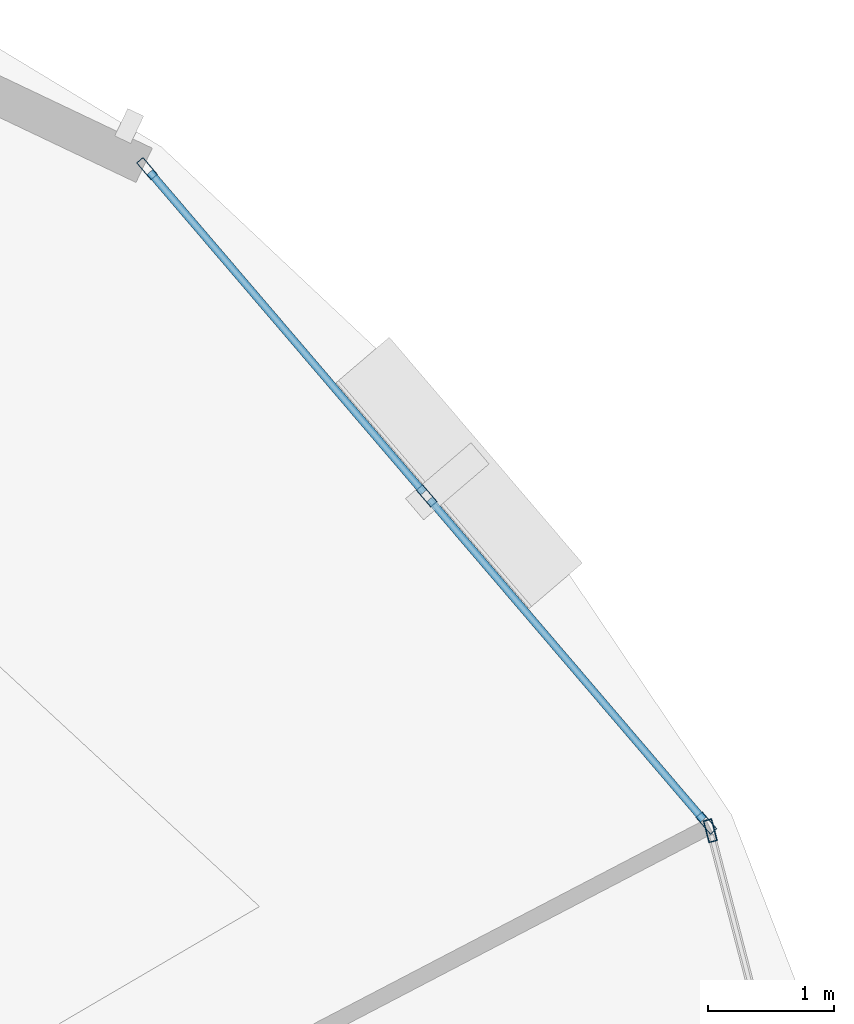
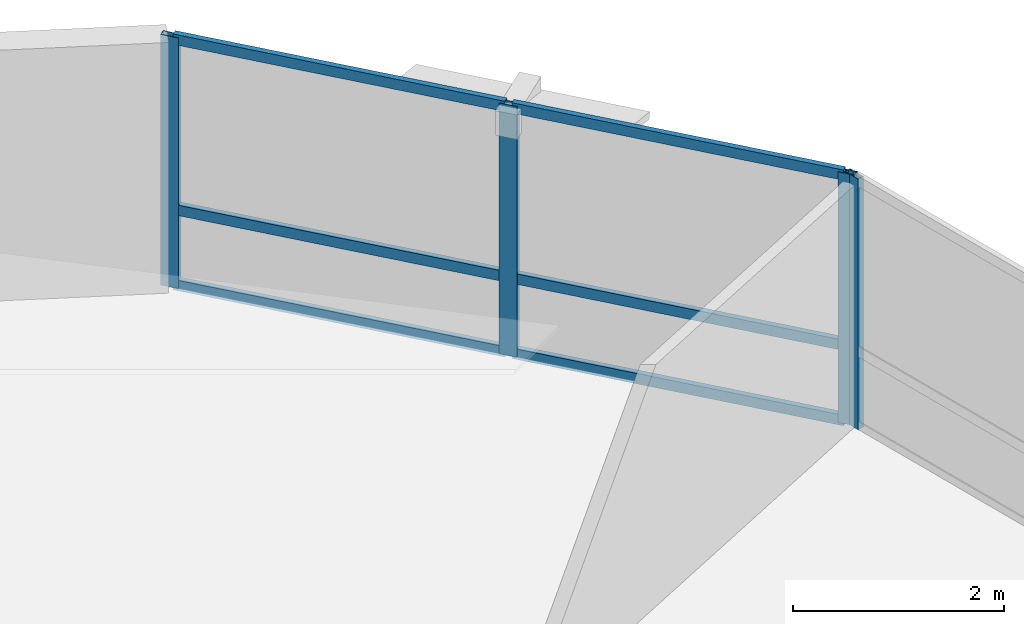
# One storey, part 8 of 14: 10 members, 2 elements without a shape of their own.
"""IFC4 building model written with IfcOpenShell, lengths in metres."""

from ifc_helpers import new_model, si_unit, direction, frame, origin, origin_2d, place, context, subcontext, project, spatial, hollow_rectangle, extrude, material, layer, layer_set, material_profile, profile_set, type_object, element, aggregate, save


model = new_model("IFC4")

# Units and contexts
model_context = context("Model", 3, precision=1e-05, world=origin(), true_north=direction((0.0, 1.0)))
body_context = subcontext(model_context, "Body", "Model", "MODEL_VIEW")
ifc_project = project(units=[si_unit("LENGTHUNIT", "METRE"), si_unit("AREAUNIT", "SQUARE_METRE"), si_unit("VOLUMEUNIT", "CUBIC_METRE"), si_unit("PLANEANGLEUNIT", "RADIAN"), si_unit("MASSUNIT", "GRAM", prefix="KILO"), si_unit("THERMODYNAMICTEMPERATUREUNIT", "KELVIN"), si_unit("POWERUNIT", "WATT")], contexts=[model_context])

# Site, building, storey
site_placement = place(None, origin())
site = spatial("IfcSite", under=ifc_project, at=site_placement, CompositionType="ELEMENT")
building_placement = place(site_placement, origin())
building = spatial("IfcBuilding", under=site, at=building_placement, Name="Ocrelia Relay Tower", CompositionType="ELEMENT")
storey_placement = place(building_placement, frame((0.0, 0.0, 149.800048828125)))
storey = spatial("IfcBuildingStorey", under=building, at=storey_placement, Name="L35", CompositionType="ELEMENT", Elevation=149.800048828125)

# Curtain wall, members
ifc_material_1 = material(Name="Aluminium and solar-control low-E glass", Category="aluminium")
ifc_layer = layer(ifc_material_1, 0.179931640625, Name="Aluminium and solar-control low-E glass")
ifc_layer_set = layer_set([ifc_layer], Name="Aluminium and solar-control low-E glass")
curtain_wall_type = type_object("IfcCurtainWallType", Name="CW-SYS-Z2-SWIT", PredefinedType="NOTDEFINED", material=ifc_layer_set)
curtain_wall_1_placement = place(storey_placement, origin())
curtain_wall_1 = element("IfcCurtainWall", 1, at=curtain_wall_1_placement, inside=storey, type_object=curtain_wall_type, Name="L35 Elliptical Tower Curtain Wall Bay 01", PredefinedType="NOTDEFINED")
ifc_material_2 = material(Name="Anodised bronze aluminium", Category="aluminium")
ifc_material_profile_1 = material_profile(ifc_material_2, hollow_rectangle(XDim=0.070068359375, YDim=0.179931640625, WallThickness=0.006103515625, at=origin_2d()), Name="CW-MUL-180x70")
ifc_profile_set_1 = profile_set([ifc_material_profile_1], Name="Anodised bronze aluminium")
member_type_1 = type_object("IfcMemberType", Name="CW-SYS-Z2-SWIT-MUL", PredefinedType="MULLION", material=ifc_profile_set_1)
member_1_placement = place(storey_placement, frame((56.674560546875, 37.8671875, 0.0), z_axis=(0.0, 0.0, 1.0), x_axis=(-0.760185496436, -0.649706095868, 0.0)))
member_1 = element("IfcMember", 2, at=member_1_placement, type_object=member_type_1, Name="CW-Z2 mullion 1", PredefinedType="MULLION", context=body_context, shape_type="SweptSolid", body=[
    extrude(hollow_rectangle(XDim=0.070068359375, YDim=0.179931640625, WallThickness=0.006103515625, at=origin_2d()), origin(), (0.0, 0.0, 1.0), 2.89990234375),
])
member_2_placement = place(storey_placement, frame((54.46240234375, 40.455322265625, 0.0), z_axis=(0.0, 0.0, 1.0), x_axis=(-0.760185496436, -0.649706095868, 0.0)))
member_2 = element("IfcMember", 3, at=member_2_placement, type_object=member_type_1, Name="CW-Z2 mullion 2", PredefinedType="MULLION", context=body_context, shape_type="SweptSolid", body=[
    extrude(hollow_rectangle(XDim=0.070068359375, YDim=0.179931640625, WallThickness=0.006103515625, at=origin_2d()), origin(), (0.0, 0.0, 1.0), 2.89990234375),
])
member_3_placement = place(storey_placement, frame((52.25048828125, 43.04345703125, 0.0), z_axis=(0.0, 0.0, 1.0), x_axis=(-0.760185496436, -0.649706095868, 0.0)))
member_3 = element("IfcMember", 4, at=member_3_placement, type_object=member_type_1, Name="CW-Z2 mullion 3", PredefinedType="MULLION", context=body_context, shape_type="SweptSolid", body=[
    extrude(hollow_rectangle(XDim=0.070068359375, YDim=0.179931640625, WallThickness=0.006103515625, at=origin_2d()), origin(), (0.0, 0.0, 1.0), 2.89990234375),
])

# Curtain wall, member
curtain_wall_2_placement = place(storey_placement, origin())
curtain_wall_2 = element("IfcCurtainWall", 5, at=curtain_wall_2_placement, inside=storey, type_object=curtain_wall_type, Name="L35 Elliptical Tower Curtain Wall Bay 18", PredefinedType="NOTDEFINED")
member_4_placement = place(storey_placement, frame((56.7060546875, 37.806640625, 0.0), z_axis=(0.0, 0.0, 1.0), x_axis=(-0.967796870511, -0.251732432216, 0.0)))
member_4 = element("IfcMember", 6, at=member_4_placement, type_object=member_type_1, Name="CW-Z2 mullion 3", PredefinedType="MULLION", context=body_context, shape_type="SweptSolid", body=[
    extrude(hollow_rectangle(XDim=0.070068359375, YDim=0.179931640625, WallThickness=0.006103515625, at=origin_2d()), origin(), (0.0, 0.0, 1.0), 2.89990234375),
])
aggregate(curtain_wall_2, [member_4])

# Member
ifc_material_profile_2 = material_profile(ifc_material_2, hollow_rectangle(XDim=0.06005859375, YDim=0.1201171875, WallThickness=0.0048828125, at=origin_2d()), Name="CW-TRN-120x60")
ifc_profile_set_2 = profile_set([ifc_material_profile_2], Name="Anodised bronze aluminium")
member_type_2 = type_object("IfcMemberType", Name="CW-SYS-Z2-SWIT-TRN", PredefinedType="USERDEFINED", material=ifc_profile_set_2)
member_5_placement = place(storey_placement, frame((56.651611328125, 37.893798828125, 0.030029296875), z_axis=(-0.649663098981, 0.760222242389, 0.0), x_axis=(-0.760222242389, -0.649663098981, 0.0)))
member_5 = element("IfcMember", 7, at=member_5_placement, type_object=member_type_2, Name="CW-Z2 transom 1.1", ObjectType="TRANSOM", PredefinedType="USERDEFINED", context=body_context, shape_type="SweptSolid", body=[
    extrude(hollow_rectangle(XDim=0.06005859375, YDim=0.1201171875, WallThickness=0.0048828125, at=origin_2d()), origin(), (0.0, 0.0, 1.0), 3.33447265625),
])

member_6_placement = place(storey_placement, frame((56.651611328125, 37.893798828125, 0.89990234375), z_axis=(-0.649663098981, 0.760222242389, 0.0), x_axis=(-0.760222242389, -0.649663098981, 0.0)))
member_6 = element("IfcMember", 8, at=member_6_placement, type_object=member_type_2, Name="CW-Z2 transom 1.2", ObjectType="TRANSOM", PredefinedType="USERDEFINED", context=body_context, shape_type="SweptSolid", body=[
    extrude(hollow_rectangle(XDim=0.06005859375, YDim=0.1201171875, WallThickness=0.0048828125, at=origin_2d()), origin(), (0.0, 0.0, 1.0), 3.33447265625),
])

member_7_placement = place(storey_placement, frame((56.651611328125, 37.893798828125, 2.869873046875), z_axis=(-0.649663098981, 0.760222242389, 0.0), x_axis=(-0.760222242389, -0.649663098981, 0.0)))
member_7 = element("IfcMember", 9, at=member_7_placement, type_object=member_type_2, Name="CW-Z2 transom 1.3", ObjectType="TRANSOM", PredefinedType="USERDEFINED", context=body_context, shape_type="SweptSolid", body=[
    extrude(hollow_rectangle(XDim=0.06005859375, YDim=0.1201171875, WallThickness=0.0048828125, at=origin_2d()), origin(), (0.0, 0.0, 1.0), 3.33447265625),
])

member_8_placement = place(storey_placement, frame((54.439697265625, 40.48193359375, 0.030029296875), z_axis=(-0.649705411402, 0.760186081427, 0.0), x_axis=(-0.760186081427, -0.649705411402, 0.0)))
member_8 = element("IfcMember", 10, at=member_8_placement, type_object=member_type_2, Name="CW-Z2 transom 2.1", ObjectType="TRANSOM", PredefinedType="USERDEFINED", context=body_context, shape_type="SweptSolid", body=[
    extrude(hollow_rectangle(XDim=0.06005859375, YDim=0.1201171875, WallThickness=0.0048828125, at=origin_2d()), origin(), (0.0, 0.0, 1.0), 3.33447265625),
])

member_9_placement = place(storey_placement, frame((54.439697265625, 40.48193359375, 0.89990234375), z_axis=(-0.649705411402, 0.760186081427, 0.0), x_axis=(-0.760186081427, -0.649705411402, 0.0)))
member_9 = element("IfcMember", 11, at=member_9_placement, type_object=member_type_2, Name="CW-Z2 transom 2.2", ObjectType="TRANSOM", PredefinedType="USERDEFINED", context=body_context, shape_type="SweptSolid", body=[
    extrude(hollow_rectangle(XDim=0.06005859375, YDim=0.1201171875, WallThickness=0.0048828125, at=origin_2d()), origin(), (0.0, 0.0, 1.0), 3.33447265625),
])

member_10_placement = place(storey_placement, frame((54.439697265625, 40.48193359375, 2.869873046875), z_axis=(-0.649705411402, 0.760186081427, 0.0), x_axis=(-0.760186081427, -0.649705411402, 0.0)))
member_10 = element("IfcMember", 12, at=member_10_placement, type_object=member_type_2, Name="CW-Z2 transom 2.3", ObjectType="TRANSOM", PredefinedType="USERDEFINED", context=body_context, shape_type="SweptSolid", body=[
    extrude(hollow_rectangle(XDim=0.06005859375, YDim=0.1201171875, WallThickness=0.0048828125, at=origin_2d()), origin(), (0.0, 0.0, 1.0), 3.33447265625),
])

aggregate(curtain_wall_1, [member_1, member_2, member_3, member_5, member_6, member_7, member_8, member_9, member_10])

save(model, "model.ifc")
